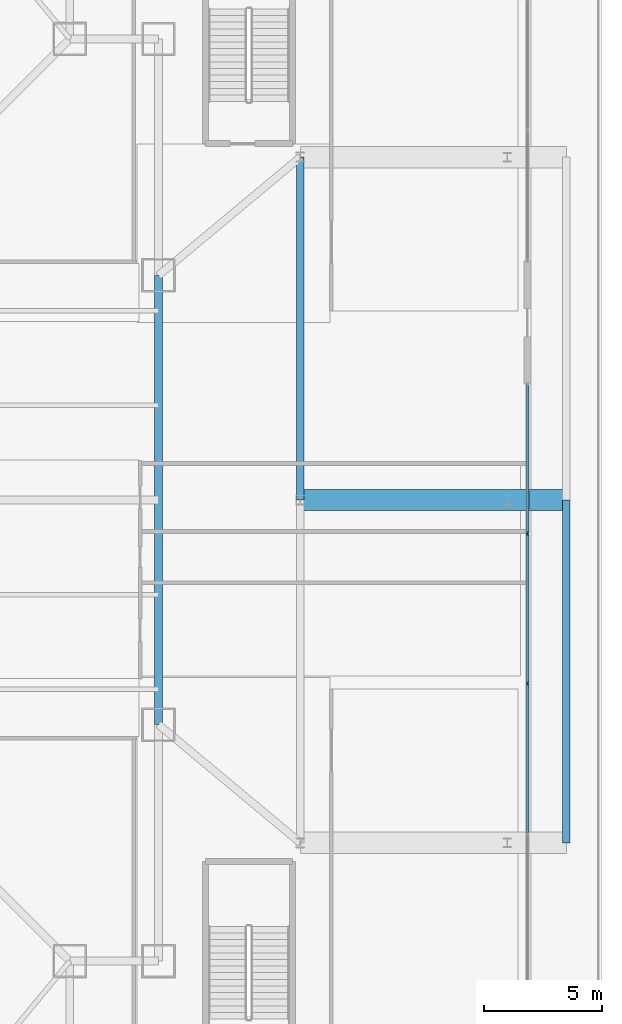
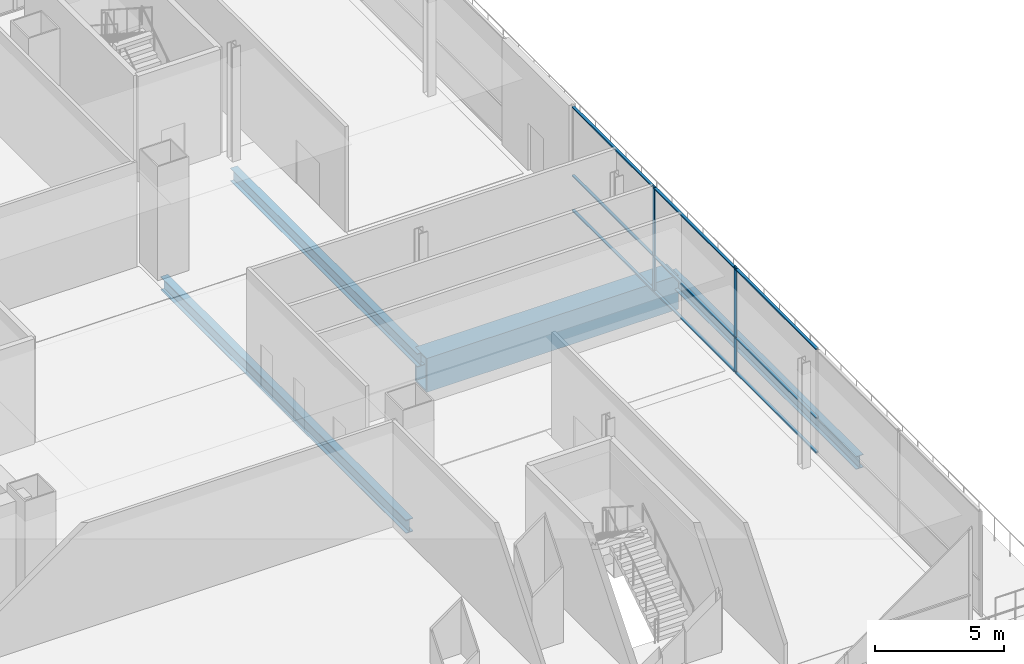
# One storey, part 17 of 36: 11 members, 4 beams, 1 element without a shape of its own.
"""IFC4 building model written with IfcOpenShell, lengths in metres."""

from ifc_helpers import new_model, si_unit, direction, frame, origin, origin_2d, place, context, subcontext, project, spatial, rectangle, hollow_rectangle, i_section, extrude, material, layer, layer_set, material_profile, profile_set, type_object, element, aggregate, save


model = new_model("IFC4")

# Units and contexts
model_context = context("Model", 3, precision=1e-05, world=origin(), true_north=direction((0.0, 1.0)))
body_context = subcontext(model_context, "Body", "Model", "MODEL_VIEW")
ifc_project = project(units=[si_unit("LENGTHUNIT", "METRE"), si_unit("AREAUNIT", "SQUARE_METRE"), si_unit("VOLUMEUNIT", "CUBIC_METRE"), si_unit("PLANEANGLEUNIT", "RADIAN"), si_unit("MASSUNIT", "GRAM", prefix="KILO")], contexts=[model_context])

# Site, building, storey
site_placement = place(None, origin())
site = spatial("IfcSite", under=ifc_project, at=site_placement, CompositionType="ELEMENT")
building_placement = place(site_placement, origin())
building = spatial("IfcBuilding", under=site, at=building_placement, Name="Trevonay Congress Spire", CompositionType="ELEMENT")
storey_placement = place(building_placement, frame((0.0, 0.0, 5.39990234375)))
storey = spatial("IfcBuildingStorey", under=building, at=storey_placement, Name="L01", CompositionType="ELEMENT", Elevation=5.39990234375)

# Beams
ifc_material_1 = material(Name="Steel ASTM A572 Grade 50", Category="steel")
ifc_material_profile_1 = material_profile(ifc_material_1, i_section(OverallWidth=0.324951171875, OverallDepth=0.615966796875, WebThickness=0.013916015625, FlangeThickness=0.021484375, FilletRadius=0.01806640625, at=origin_2d()), Name="W610x174")
ifc_profile_set_1 = profile_set([ifc_material_profile_1], Name="Steel ASTM A572 Grade 50")
beam_type_1 = type_object("IfcBeamType", Name="BM-GIRD-W610X174", PredefinedType="BEAM", material=ifc_profile_set_1)
for number, where, z_axis, x_axis, name in (
    (1, (29.25, 0.0, -0.7080078125), (0.0, 1.0, 0.0), (-1.0, 0.0, 0.0), "L01 structural beam BM-L01-POD-EH"),
    (2, (40.5, -14.5, -0.7080078125), (0.0, 1.0, 0.0), (-1.0, 0.0, 0.0), "L01 structural beam BM-L01-EXEL1"),
):
    element("IfcBeam", number, at=place(storey_placement, frame(where, z_axis=z_axis, x_axis=x_axis)), inside=storey, type_object=beam_type_1, Name=name, PredefinedType="BEAM", context=body_context, shape_type="SweptSolid", body=[
        extrude(i_section(OverallWidth=0.324951171875, OverallDepth=0.615966796875, WebThickness=0.013916015625, FlangeThickness=0.021484375, FilletRadius=0.01806640625, at=origin_2d()), origin(), (0.0, 0.0, 1.0), 14.5),
    ])
ifc_material_profile_2 = material_profile(ifc_material_1, i_section(OverallWidth=0.3291015625, OverallDepth=0.635009765625, WebThickness=0.017822265625, FlangeThickness=0.031005859375, FilletRadius=0.01806640625, at=origin_2d()), Name="W610x241")
ifc_profile_set_2 = profile_set([ifc_material_profile_2], Name="Steel ASTM A572 Grade 50")
beam_type_2 = type_object("IfcBeamType", Name="BM-GIRD-W610X241", PredefinedType="BEAM", material=ifc_profile_set_2)
beam_1_placement = place(storey_placement, frame((23.25, -9.5, -0.71728515625), z_axis=(0.0, 1.0, 0.0), x_axis=(-1.0, 0.0, 0.0)))
element("IfcBeam", 3, at=beam_1_placement, inside=storey, type_object=beam_type_2, Name="L01 structural beam BM-L01-ME2", PredefinedType="BEAM", context=body_context, shape_type="SweptSolid", body=[
    extrude(i_section(OverallWidth=0.3291015625, OverallDepth=0.635009765625, WebThickness=0.017822265625, FlangeThickness=0.031005859375, FilletRadius=0.01806640625, at=origin_2d()), origin(), (0.0, 0.0, 1.0), 19.0),
])
ifc_material_profile_3 = material_profile(ifc_material_1, hollow_rectangle(XDim=0.89990234375, YDim=1.60009765625, WallThickness=0.06005859375, at=origin_2d()), Name="BOX 1600x900x60")
ifc_profile_set_3 = profile_set([ifc_material_profile_3], Name="Steel ASTM A572 Grade 50")
beam_type_3 = type_object("IfcBeamType", Name="BM-XFER-BOX1600", PredefinedType="BEAM", material=ifc_profile_set_3)
beam_2_placement = place(storey_placement, frame((29.25, 0.0, -1.199951171875), z_axis=(1.0, 0.0, 0.0), x_axis=(0.0, 1.0, 0.0)))
element("IfcBeam", 4, at=beam_2_placement, inside=storey, type_object=beam_type_3, Name="L01 structural beam BM-L01-EXE-C", PredefinedType="BEAM", context=body_context, shape_type="SweptSolid", body=[
    extrude(hollow_rectangle(XDim=0.89990234375, YDim=1.60009765625, WallThickness=0.06005859375, at=origin_2d()), origin(), (0.0, 0.0, 1.0), 11.25),
])

# Curtain wall, members
ifc_material_2 = material(Name="Pale Anodised Aluminium EN AW-6063-T6", Category="aluminium")
ifc_layer = layer(ifc_material_2, 0.179931640625, Name="Pale Anodised Aluminium EN AW-6063-T6")
ifc_layer_set = layer_set([ifc_layer], Name="Pale Anodised Aluminium EN AW-6063-T6")
curtain_wall_type = type_object("IfcCurtainWallType", Name="CW-SYS01-PODIUM-PALE-METAL", PredefinedType="NOTDEFINED", material=ifc_layer_set)
curtain_wall_placement = place(storey_placement, origin())
curtain_wall = element("IfcCurtainWall", 5, at=curtain_wall_placement, inside=storey, type_object=curtain_wall_type, Name="L01 E1 podium curtain wall", PredefinedType="NOTDEFINED")
ifc_material_profile_4 = material_profile(ifc_material_2, rectangle(XDim=0.06005859375, YDim=0.159912109375, at=origin_2d()), Name="CW-MULLION-160-ALUMINIUM")
ifc_profile_set_4 = profile_set([ifc_material_profile_4], Name="Pale Anodised Aluminium EN AW-6063-T6")
member_type_1 = type_object("IfcMemberType", Name="CW-MULLION-160-ALUMINIUM", PredefinedType="MULLION", material=ifc_profile_set_4)
member_1_placement = place(storey_placement, frame((38.85009765625, -7.760009765625, 0.0), z_axis=(0.0, 0.0, 1.0), x_axis=(-1.0, 0.0, 0.0)))
member_1 = element("IfcMember", 6, at=member_1_placement, type_object=member_type_1, Name="CW01 mullion 4", PredefinedType="MULLION", context=body_context, shape_type="SweptSolid", body=[
    extrude(rectangle(XDim=0.06005859375, YDim=0.159912109375, at=origin_2d()), origin(), (0.0, 0.0, 1.0), 5.0),
])
member_2_placement = place(storey_placement, frame((38.85009765625, -1.429931640625, 0.0), z_axis=(0.0, 0.0, 1.0), x_axis=(-1.0, 0.0, 0.0)))
member_2 = element("IfcMember", 7, at=member_2_placement, type_object=member_type_1, Name="CW01 mullion 5", PredefinedType="MULLION", context=body_context, shape_type="SweptSolid", body=[
    extrude(rectangle(XDim=0.06005859375, YDim=0.159912109375, at=origin_2d()), origin(), (0.0, 0.0, 1.0), 5.0),
])
ifc_material_profile_5 = material_profile(ifc_material_2, rectangle(XDim=0.1201171875, YDim=0.06005859375, at=origin_2d()), Name="CW-TRANSOM-120-ALUMINIUM")
ifc_profile_set_5 = profile_set([ifc_material_profile_5], Name="Pale Anodised Aluminium EN AW-6063-T6")
member_type_2 = type_object("IfcMemberType", Name="CW-TRANSOM-120-ALUMINIUM", PredefinedType="USERDEFINED", material=ifc_profile_set_5)
member_3_placement = place(storey_placement, frame((38.85009765625, -14.06005859375, 0.06005859375), z_axis=(0.0, 1.0, 0.0), x_axis=(-1.0, 0.0, 0.0)))
member_3 = element("IfcMember", 8, at=member_3_placement, type_object=member_type_2, Name="CW01 transom 3.1", ObjectType="TRANSOM", PredefinedType="USERDEFINED", context=body_context, shape_type="SweptSolid", body=[
    extrude(rectangle(XDim=0.1201171875, YDim=0.06005859375, at=origin_2d()), origin(), (0.0, 0.0, 1.0), 6.27001953125),
])
member_4_placement = place(storey_placement, frame((38.85009765625, -14.06005859375, 1.7001953125), z_axis=(0.0, 1.0, 0.0), x_axis=(-1.0, 0.0, 0.0)))
member_4 = element("IfcMember", 9, at=member_4_placement, type_object=member_type_2, Name="CW01 transom 3.2", ObjectType="TRANSOM", PredefinedType="USERDEFINED", context=body_context, shape_type="SweptSolid", body=[
    extrude(rectangle(XDim=0.1201171875, YDim=0.06005859375, at=origin_2d()), origin(), (0.0, 0.0, 1.0), 6.27001953125),
])
member_5_placement = place(storey_placement, frame((38.85009765625, -14.06005859375, 4.940185546875), z_axis=(0.0, 1.0, 0.0), x_axis=(-1.0, 0.0, 0.0)))
member_5 = element("IfcMember", 10, at=member_5_placement, type_object=member_type_2, Name="CW01 transom 3.3", ObjectType="TRANSOM", PredefinedType="USERDEFINED", context=body_context, shape_type="SweptSolid", body=[
    extrude(rectangle(XDim=0.1201171875, YDim=0.06005859375, at=origin_2d()), origin(), (0.0, 0.0, 1.0), 6.27001953125),
])
member_6_placement = place(storey_placement, frame((38.85009765625, -7.72998046875, 0.06005859375), z_axis=(0.0, 1.0, 0.0), x_axis=(-1.0, 0.0, 0.0)))
member_6 = element("IfcMember", 11, at=member_6_placement, type_object=member_type_2, Name="CW01 transom 4.1", ObjectType="TRANSOM", PredefinedType="USERDEFINED", context=body_context, shape_type="SweptSolid", body=[
    extrude(rectangle(XDim=0.1201171875, YDim=0.06005859375, at=origin_2d()), origin(), (0.0, 0.0, 1.0), 6.27001953125),
])
member_7_placement = place(storey_placement, frame((38.85009765625, -7.72998046875, 1.7001953125), z_axis=(0.0, 1.0, 0.0), x_axis=(-1.0, 0.0, 0.0)))
member_7 = element("IfcMember", 12, at=member_7_placement, type_object=member_type_2, Name="CW01 transom 4.2", ObjectType="TRANSOM", PredefinedType="USERDEFINED", context=body_context, shape_type="SweptSolid", body=[
    extrude(rectangle(XDim=0.1201171875, YDim=0.06005859375, at=origin_2d()), origin(), (0.0, 0.0, 1.0), 6.27001953125),
])
member_8_placement = place(storey_placement, frame((38.85009765625, -7.72998046875, 4.940185546875), z_axis=(0.0, 1.0, 0.0), x_axis=(-1.0, 0.0, 0.0)))
member_8 = element("IfcMember", 13, at=member_8_placement, type_object=member_type_2, Name="CW01 transom 4.3", ObjectType="TRANSOM", PredefinedType="USERDEFINED", context=body_context, shape_type="SweptSolid", body=[
    extrude(rectangle(XDim=0.1201171875, YDim=0.06005859375, at=origin_2d()), origin(), (0.0, 0.0, 1.0), 6.27001953125),
])
member_9_placement = place(storey_placement, frame((38.85009765625, -1.39990234375, 0.06005859375), z_axis=(0.0, 1.0, 0.0), x_axis=(-1.0, 0.0, 0.0)))
member_9 = element("IfcMember", 14, at=member_9_placement, type_object=member_type_2, Name="CW01 transom 5.1", ObjectType="TRANSOM", PredefinedType="USERDEFINED", context=body_context, shape_type="SweptSolid", body=[
    extrude(rectangle(XDim=0.1201171875, YDim=0.06005859375, at=origin_2d()), origin(), (0.0, 0.0, 1.0), 6.239990234375),
])
member_10_placement = place(storey_placement, frame((38.85009765625, -1.39990234375, 1.7001953125), z_axis=(0.0, 1.0, 0.0), x_axis=(-1.0, 0.0, 0.0)))
member_10 = element("IfcMember", 15, at=member_10_placement, type_object=member_type_2, Name="CW01 transom 5.2", ObjectType="TRANSOM", PredefinedType="USERDEFINED", context=body_context, shape_type="SweptSolid", body=[
    extrude(rectangle(XDim=0.1201171875, YDim=0.06005859375, at=origin_2d()), origin(), (0.0, 0.0, 1.0), 6.239990234375),
])
member_11_placement = place(storey_placement, frame((38.85009765625, -1.39990234375, 4.940185546875), z_axis=(0.0, 1.0, 0.0), x_axis=(-1.0, 0.0, 0.0)))
member_11 = element("IfcMember", 16, at=member_11_placement, type_object=member_type_2, Name="CW01 transom 5.3", ObjectType="TRANSOM", PredefinedType="USERDEFINED", context=body_context, shape_type="SweptSolid", body=[
    extrude(rectangle(XDim=0.1201171875, YDim=0.06005859375, at=origin_2d()), origin(), (0.0, 0.0, 1.0), 6.239990234375),
])
aggregate(curtain_wall, [member_1, member_2, member_3, member_4, member_5, member_6, member_7, member_8, member_9, member_10, member_11])

save(model, "model.ifc")
